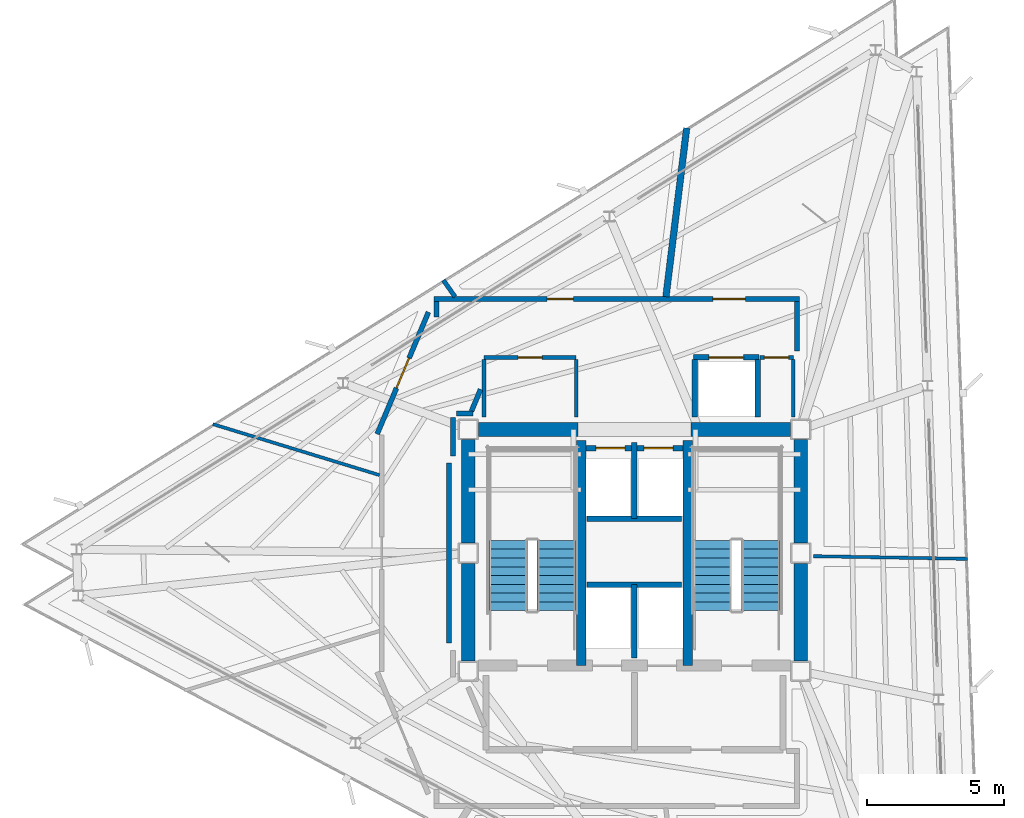
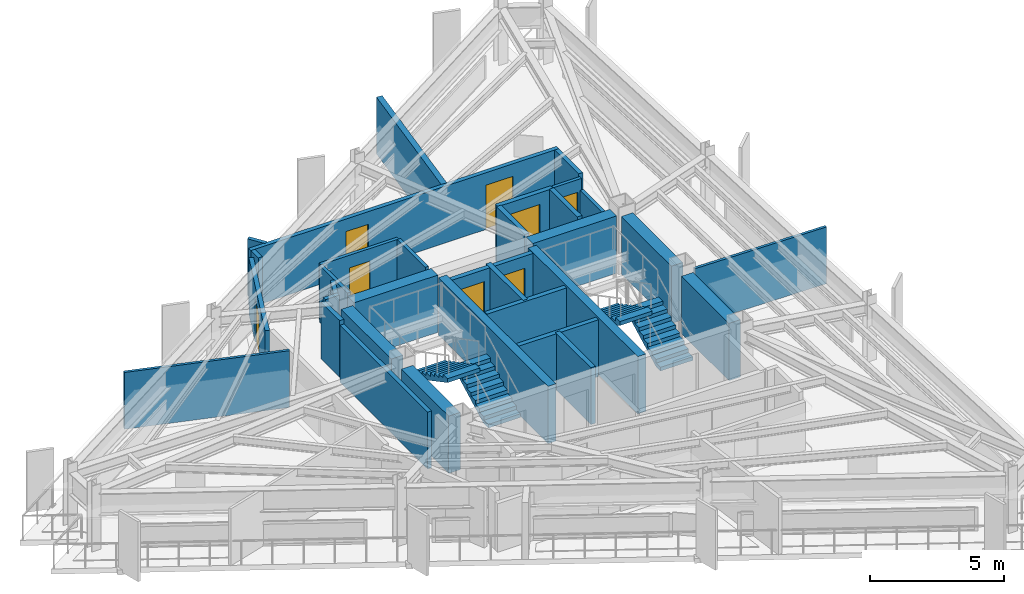
# One storey, part 9 of 13: 33 walls, 8 doors, 4 stair flights, 8 openings, 2 elements without a shape of their own.
"""IFC4 building model written with IfcOpenShell, lengths in metres."""

from ifc_helpers import new_model, si_unit, direction, frame, frame_2d, origin, place, context, subcontext, project, spatial, polyline, rectangle, outline, extrude, material, layer, layer_set, type_object, element, fill, aggregate, save


model = new_model("IFC4")

# Units and contexts
model_context = context("Model", 3, precision=1e-05, world=origin(), true_north=direction((0.0, 1.0)))
body_context = subcontext(model_context, "Body", "Model", "MODEL_VIEW")
ifc_project = project(units=[si_unit("LENGTHUNIT", "METRE"), si_unit("AREAUNIT", "SQUARE_METRE"), si_unit("VOLUMEUNIT", "CUBIC_METRE"), si_unit("PLANEANGLEUNIT", "RADIAN"), si_unit("MASSUNIT", "GRAM", prefix="KILO")], contexts=[model_context])

# Site, building, storey
site_placement = place(None, origin())
site = spatial("IfcSite", under=ifc_project, at=site_placement, CompositionType="ELEMENT")
building_placement = place(site_placement, origin())
building = spatial("IfcBuilding", under=site, at=building_placement, Name="Rocaltana Carrier Exchange", CompositionType="ELEMENT")
storey_placement = place(building_placement, frame((0.0, 0.0, 211.840087890625)))
storey = spatial("IfcBuildingStorey", under=building, at=storey_placement, Name="L67", CompositionType="ELEMENT", Elevation=211.840087890625)

# Walls
ifc_material_1 = material(Name="Double Acoustic Gypsum Partition", Category="gypsum")
ifc_layer_1 = layer(ifc_material_1, 0.159912109375)
ifc_layer_set_1 = layer_set([ifc_layer_1], Name="Double Acoustic Gypsum Partition")
wall_type_1 = type_object("IfcWallType", Name="Acoustic Studio Partition 160 EI60", PredefinedType="PARTITIONING", material=ifc_layer_set_1)
wall_1_placement = place(storey_placement, frame((-6.532958984375, 9.330078125, 0.0), z_axis=(0.0, 0.0, 1.0), x_axis=(-0.573639237496, 0.819108066866, 0.0)))
element("IfcWall", 1, at=wall_1_placement, inside=storey, type_object=wall_type_1, Name="L67 Suite Divider Wall D6", PredefinedType="PARTITIONING", context=body_context, shape_type="SweptSolid", body=[
    extrude(rectangle(XDim=0.740966796875, YDim=0.159912109375, at=frame_2d((0.37060546875, 0.0))), origin(), (0.0, 0.0, 1.0), 2.593017578125),
])
ifc_material_2 = material(Name="Concrete C50/60", Category="concrete")
ifc_layer_2 = layer(ifc_material_2, 0.35009765625)
ifc_layer_set_2 = layer_set([ifc_layer_2], Name="Concrete C50/60")
wall_type_2 = type_object("IfcWallType", Name="Core Internal Shear Wall 350", PredefinedType="SHEAR", material=ifc_layer_set_2)
for number, where, z_axis, x_axis, name in (
    (2, (-1.93994140625, -4.10009765625, 0.0), (0.0, 0.0, 1.0), (0.0, 1.0, 0.0), "L67 Core Shear Wall CW-STW"),
    (3, (1.93994140625, -4.10009765625, 0.0), (0.0, 0.0, 1.0), (0.0, 1.0, 0.0), "L67 Core Shear Wall CW-STE"),
):
    element("IfcWall", number, at=place(storey_placement, frame(where, z_axis=z_axis, x_axis=x_axis)), inside=storey, type_object=wall_type_2, Name=name, PredefinedType="SHEAR", context=body_context, shape_type="SweptSolid", body=[
        extrude(rectangle(XDim=8.2001953125, YDim=0.35009765625, at=frame_2d((4.10009765625, 0.0))), origin(), (0.0, 0.0, 1.0), 2.617919921875),
    ])
ifc_material_3 = material(Name="Concrete C50/60", Category="concrete")
ifc_layer_3 = layer(ifc_material_3, 0.5)
ifc_layer_set_3 = layer_set([ifc_layer_3], Name="Concrete C50/60")
wall_type_3 = type_object("IfcWallType", Name="Core Shear Wall 500", PredefinedType="SHEAR", material=ifc_layer_set_3)
wall_2_placement = place(storey_placement, frame((-6.050048828125, 0.375, 0.0), z_axis=(0.0, 0.0, 1.0), x_axis=(0.0, 1.0, 0.0)))
element("IfcWall", 4, at=wall_2_placement, inside=storey, type_object=wall_type_3, Name="L67 Core Shear Wall CW-WN", PredefinedType="SHEAR", context=body_context, shape_type="SweptSolid", body=[
    extrude(rectangle(XDim=3.75, YDim=0.5, at=frame_2d((1.875, 0.0))), origin(), (0.0, 0.0, 1.0), 2.617919921875),
])
wall_3_placement = place(storey_placement, frame((-6.050048828125, -3.925048828125, 0.0), z_axis=(0.0, 0.0, 1.0), x_axis=(0.0, 1.0, 0.0)))
element("IfcWall", 5, at=wall_3_placement, inside=storey, type_object=wall_type_3, Name="L67 Core Shear Wall CW-WS", PredefinedType="SHEAR", context=body_context, shape_type="SweptSolid", body=[
    extrude(rectangle(XDim=3.550048828125, YDim=0.5, at=frame_2d((1.77490234375, 0.0))), origin(), (0.0, 0.0, 1.0), 2.617919921875),
])
wall_4_placement = place(storey_placement, frame((6.050048828125, 0.375, 0.0), z_axis=(0.0, 0.0, 1.0), x_axis=(0.0, 1.0, 0.0)))
element("IfcWall", 6, at=wall_4_placement, inside=storey, type_object=wall_type_3, Name="L67 Core Shear Wall CW-EN", PredefinedType="SHEAR", context=body_context, shape_type="SweptSolid", body=[
    extrude(rectangle(XDim=3.75, YDim=0.5, at=frame_2d((1.875, 0.0))), origin(), (0.0, 0.0, 1.0), 2.617919921875),
])
wall_5_placement = place(storey_placement, frame((6.050048828125, -3.925048828125, 0.0), z_axis=(0.0, 0.0, 1.0), x_axis=(0.0, 1.0, 0.0)))
element("IfcWall", 7, at=wall_5_placement, inside=storey, type_object=wall_type_3, Name="L67 Core Shear Wall CW-ES", PredefinedType="SHEAR", context=body_context, shape_type="SweptSolid", body=[
    extrude(rectangle(XDim=3.550048828125, YDim=0.5, at=frame_2d((1.77490234375, 0.0))), origin(), (0.0, 0.0, 1.0), 2.617919921875),
])
for number, where, z_axis, x_axis, name in (
    (8, (-5.675048828125, 4.5, 0.0), (0.0, 0.0, 1.0), (1.0, 0.0, 0.0), "L67 Core Shear Wall CW-N1"),
    (9, (2.050048828125, 4.5, 0.0), (0.0, 0.0, 1.0), (1.0, 0.0, 0.0), "L67 Core Shear Wall CW-N2"),
):
    element("IfcWall", number, at=place(storey_placement, frame(where, z_axis=z_axis, x_axis=x_axis)), inside=storey, type_object=wall_type_3, Name=name, PredefinedType="SHEAR", context=body_context, shape_type="SweptSolid", body=[
        extrude(rectangle(XDim=3.625, YDim=0.5, at=frame_2d((1.8125, 0.0))), origin(), (0.0, 0.0, 1.0), 2.617919921875),
    ])

# Wall, opening, door
ifc_material_4 = material(Name="Gypsum & Steel Stud Partition", Category="steel")
ifc_layer_4 = layer(ifc_material_4, 0.179931640625)
ifc_layer_set_4 = layer_set([ifc_layer_4], Name="Gypsum & Steel Stud Partition")
wall_type_4 = type_object("IfcWallType", Name="Corridor Fire Partition 180 EI60", PredefinedType="PARTITIONING", material=ifc_layer_set_4)
wall_6_placement = place(storey_placement, frame((-9.36669921875, 4.331787109375, 0.0), z_axis=(0.0, 0.0, 1.0), x_axis=(0.387573945081, 0.921838617706, 0.0)))
wall_6 = element("IfcWall", 10, at=wall_6_placement, inside=storey, type_object=wall_type_4, Name="L67 Corridor Partition 3", PredefinedType="PARTITIONING", context=body_context, shape_type="SweptSolid", body=[
    extrude(rectangle(XDim=4.813232421875, YDim=0.179931640625, at=frame_2d((2.40673828125, 0.0))), origin(), (0.0, 0.0, 1.0), 2.593017578125),
])
opening_1_placement = place(wall_6_placement, frame((1.816650390625, 0.0, 0.0)))
opening_1 = element("IfcOpeningElement", 11, at=opening_1_placement, cuts=wall_6, Name="Opening D-SU120", PredefinedType="OPENING", context=body_context, shape_type="SweptSolid", body=[
    extrude(rectangle(XDim=1.179931640625, YDim=2.02001953125, at=frame_2d((0.58984375, 1.010009765625))), frame((0.0, 0.099853515625, 0.0), z_axis=(0.0, -1.0, 0.0), x_axis=(1.0, 0.0, 0.0)), (0.0, 0.0, 1.0), 0.199951171875),
])
ifc_material_5 = material(Name="Engineered Hardwood Timber", Category="wood")
door_type_1 = type_object("IfcDoorType", Name="Suite Double Entrance Door 1180x2020", OperationType="NOTDEFINED", PredefinedType="DOOR", material=ifc_material_5)
door_1_placement = place(opening_1_placement, origin())
door_1 = element("IfcDoor", 12, at=door_1_placement, inside=storey, type_object=door_type_1, Name="L67 Carrier Peering Suite Entrance Door", OperationType="SINGLE_SWING_RIGHT", OverallHeight=2.02001953125, OverallWidth=1.179931640625, PredefinedType="DOOR", context=body_context, shape_type="SweptSolid", body=[
    extrude(rectangle(XDim=1.179931640625, YDim=2.02001953125, at=frame_2d((0.58984375, 1.010009765625))), frame((0.0, 0.02490234375, 0.0), z_axis=(0.0, -1.0, 0.0), x_axis=(1.0, 0.0, 0.0)), (0.0, 0.0, 1.0), 0.050048828125),
])
fill(opening_1, door_1)

# Wall
wall_7_placement = place(storey_placement, frame((-7.199951171875, 8.6005859375, 0.0), z_axis=(0.0, 0.0, 1.0), x_axis=(0.0, 1.0, 0.0)))
element("IfcWall", 13, at=wall_7_placement, inside=storey, type_object=wall_type_4, Name="L67 Corridor Partition 4", PredefinedType="PARTITIONING", context=body_context, shape_type="SweptSolid", body=[
    extrude(rectangle(XDim=0.559326171875, YDim=0.179931640625, at=frame_2d((0.27978515625, 0.0))), origin(), (0.0, 0.0, 1.0), 2.593017578125),
])

# Wall, openings, doors
wall_8_placement = place(storey_placement, frame((-7.2900390625, 9.25, 0.0), z_axis=(0.0, 0.0, 1.0), x_axis=(1.0, 0.0, 0.0)))
wall_8 = element("IfcWall", 14, at=wall_8_placement, inside=storey, type_object=wall_type_4, Name="L67 Corridor Partition 5", PredefinedType="PARTITIONING", context=body_context, shape_type="SweptSolid", body=[
    extrude(rectangle(XDim=13.300048828125, YDim=0.179931640625, at=frame_2d((6.64990234375, 0.0))), origin(), (0.0, 0.0, 1.0), 2.593017578125),
])
opening_2_placement = place(wall_8_placement, frame((10.14794921875, 0.0, 0.0)))
opening_2 = element("IfcOpeningElement", 15, at=opening_2_placement, cuts=wall_8, Name="Opening D-SU120", PredefinedType="OPENING", context=body_context, shape_type="SweptSolid", body=[
    extrude(rectangle(XDim=1.179931640625, YDim=2.02001953125, at=frame_2d((0.58984375, 1.010009765625))), frame((0.0, 0.099853515625, 0.0), z_axis=(0.0, -1.0, 0.0), x_axis=(1.0, 0.0, 0.0)), (0.0, 0.0, 1.0), 0.199951171875),
])
opening_3_placement = place(wall_8_placement, frame((4.109619140625, 0.0, 0.0)))
opening_3 = element("IfcOpeningElement", 16, at=opening_3_placement, cuts=wall_8, Name="Opening D-RM098", PredefinedType="OPENING", context=body_context, shape_type="SweptSolid", body=[
    extrude(rectangle(XDim=0.9599609375, YDim=2.02001953125, at=frame_2d((0.47998046875, 1.010009765625))), frame((0.0, 0.099853515625, 0.0), z_axis=(0.0, -1.0, 0.0), x_axis=(1.0, 0.0, 0.0)), (0.0, 0.0, 1.0), 0.199951171875),
])
door_2_placement = place(opening_2_placement, origin())
door_2 = element("IfcDoor", 17, at=door_2_placement, inside=storey, type_object=door_type_1, Name="L67 Carrier Peering Suite Entrance Door", OperationType="SINGLE_SWING_RIGHT", OverallHeight=2.02001953125, OverallWidth=1.179931640625, PredefinedType="DOOR", context=body_context, shape_type="SweptSolid", body=[
    extrude(rectangle(XDim=1.179931640625, YDim=2.02001953125, at=frame_2d((0.58984375, 1.010009765625))), frame((0.0, 0.02490234375, 0.0), z_axis=(0.0, -1.0, 0.0), x_axis=(1.0, 0.0, 0.0)), (0.0, 0.0, 1.0), 0.050048828125),
])
fill(opening_2, door_2)
ifc_material_6 = material(Name="Engineered Hardwood Timber", Category="wood")
door_type_2 = type_object("IfcDoorType", Name="Workspace Single Door 960x2020", OperationType="NOTDEFINED", PredefinedType="DOOR", material=ifc_material_6)
door_3_placement = place(opening_3_placement, origin())
door_3 = element("IfcDoor", 18, at=door_3_placement, inside=storey, type_object=door_type_2, Name="L67 Peering Conference Room Entrance Door", OperationType="SINGLE_SWING_LEFT", OverallHeight=2.02001953125, OverallWidth=0.9599609375, PredefinedType="DOOR", context=body_context, shape_type="SweptSolid", body=[
    extrude(rectangle(XDim=0.9599609375, YDim=2.02001953125, at=frame_2d((0.47998046875, 1.010009765625))), frame((0.0, 0.02490234375, 0.0), z_axis=(0.0, -1.0, 0.0), x_axis=(1.0, 0.0, 0.0)), (0.0, 0.0, 1.0), 0.050048828125),
])
fill(opening_3, door_3)

# Walls
wall_9_placement = place(storey_placement, frame((5.919921875, 9.159912109375, 0.0), z_axis=(0.0, 0.0, 1.0), x_axis=(0.0, -1.0, 0.0)))
element("IfcWall", 19, at=wall_9_placement, inside=storey, type_object=wall_type_4, Name="L67 Corridor Partition 6", PredefinedType="PARTITIONING", context=body_context, shape_type="SweptSolid", body=[
    extrude(rectangle(XDim=1.7998046875, YDim=0.179931640625, at=frame_2d((0.89990234375, 0.0))), origin(), (0.0, 0.0, 1.0), 2.593017578125),
])
wall_10_placement = place(storey_placement, frame((-5.602294921875, 5.9580078125, 0.0), z_axis=(0.0, 0.0, 1.0), x_axis=(-0.387588639363, -0.921832439566, 0.0)))
element("IfcWall", 20, at=wall_10_placement, inside=storey, type_object=wall_type_4, Name="L67 Corridor Partition 8", PredefinedType="PARTITIONING", context=body_context, shape_type="SweptSolid", body=[
    extrude(rectangle(XDim=0.8623046875, YDim=0.179931640625, at=frame_2d((0.43115234375, 0.0))), origin(), (0.0, 0.0, 1.0), 2.593017578125),
])
wall_11_placement = place(storey_placement, frame((-5.88134765625, 5.080078125, 0.0), z_axis=(0.0, 0.0, 1.0), x_axis=(-1.0, 0.0, 0.0)))
element("IfcWall", 21, at=wall_11_placement, inside=storey, type_object=wall_type_4, Name="L67 Corridor Partition 9", PredefinedType="PARTITIONING", context=body_context, shape_type="SweptSolid", body=[
    extrude(rectangle(XDim=0.588623046875, YDim=0.179931640625, at=frame_2d((0.29443359375, 0.0))), origin(), (0.0, 0.0, 1.0), 2.593017578125),
])
wall_12_placement = place(storey_placement, frame((-6.610107421875, 4.93994140625, 0.0), z_axis=(0.0, 0.0, 1.0), x_axis=(0.0, -1.0, 0.0)))
element("IfcWall", 22, at=wall_12_placement, inside=storey, type_object=wall_type_4, Name="L67 Corridor Partition 10", PredefinedType="PARTITIONING", context=body_context, shape_type="SweptSolid", body=[
    extrude(rectangle(XDim=1.398681640625, YDim=0.179931640625, at=frame_2d((0.69921875, 0.0))), origin(), (0.0, 0.0, 1.0), 2.593017578125),
])
wall_13_placement = place(storey_placement, frame((-6.75, 3.2734375, 0.0), z_axis=(0.0, 0.0, 1.0), x_axis=(0.0, -1.0, 0.0)))
element("IfcWall", 23, at=wall_13_placement, inside=storey, type_object=wall_type_4, Name="L67 Corridor Partition 11", PredefinedType="PARTITIONING", context=body_context, shape_type="SweptSolid", body=[
    extrude(rectangle(XDim=6.546875, YDim=0.179931640625, at=frame_2d((3.2734375, 0.0))), origin(), (0.0, 0.0, 1.0), 2.593017578125),
])
ifc_material_7 = material(Name="Aluminium 6063-T6 & Acoustic Glass", Category="aluminium")
ifc_layer_5 = layer(ifc_material_7, 0.114990234375)
ifc_layer_set_5 = layer_set([ifc_layer_5], Name="Aluminium 6063-T6 & Acoustic Glass")
wall_type_5 = type_object("IfcWallType", Name="Demountable Glazed Lab Partition 115", PredefinedType="MOVABLE", material=ifc_layer_set_5)
wall_14_placement = place(storey_placement, frame((6.510009765625, -0.113525390625, 0.0), z_axis=(0.0, 0.0, 1.0), x_axis=(0.999847502382, -0.017463446992, 0.0)))
element("IfcWall", 24, at=wall_14_placement, inside=storey, type_object=wall_type_5, Name="L67 Suite Divider Wall D4", PredefinedType="MOVABLE", context=body_context, shape_type="SweptSolid", body=[
    extrude(rectangle(XDim=5.6201171875, YDim=0.114990234375, at=frame_2d((2.81005859375, 0.0))), origin(), (0.0, 0.0, 1.0), 2.593017578125),
])
wall_15_placement = place(storey_placement, frame((-9.280029296875, 2.837158203125, 0.0), z_axis=(0.0, 0.0, 1.0), x_axis=(-0.956301397149, 0.292382690682, 0.0)))
element("IfcWall", 25, at=wall_15_placement, inside=storey, type_object=wall_type_5, Name="L67 Suite Divider Wall D7", PredefinedType="MOVABLE", context=body_context, shape_type="SweptSolid", body=[
    extrude(rectangle(XDim=6.34765625, YDim=0.114990234375, at=frame_2d((3.173828125, 0.0))), origin(), (0.0, 0.0, 1.0), 2.593017578125),
])
ifc_material_8 = material(Name="Acoustic Calcium Silicate Partition", Category="gypsum")
ifc_layer_6 = layer(ifc_material_8, 0.239990234375)
ifc_layer_set_6 = layer_set([ifc_layer_6], Name="Acoustic Calcium Silicate Partition")
wall_type_6 = type_object("IfcWallType", Name="Heavy Lab Partition 240 EI90", PredefinedType="PARTITIONING", material=ifc_layer_set_6)
wall_16_placement = place(storey_placement, frame((1.1455078125, 9.330078125, 0.0), z_axis=(0.0, 0.0, 1.0), x_axis=(0.121873572304, 0.992545632389, 0.0)))
element("IfcWall", 26, at=wall_16_placement, inside=storey, type_object=wall_type_6, Name="L67 Suite Divider Wall D5", PredefinedType="PARTITIONING", context=body_context, shape_type="SweptSolid", body=[
    extrude(rectangle(XDim=6.18798828125, YDim=0.239990234375, at=frame_2d((3.093994140625, 0.0))), origin(), (0.0, 0.0, 1.0), 2.593017578125),
])
ifc_material_9 = material(Name="Reinforced Concrete Block C35/45", Category="concrete")
ifc_layer_7 = layer(ifc_material_9, 0.199951171875)
ifc_layer_set_7 = layer_set([ifc_layer_7], Name="Reinforced Concrete Block C35/45")
wall_type_7 = type_object("IfcWallType", Name="Lift Hoistway Enclosure Wall 200 EI120", PredefinedType="PARTITIONING", material=ifc_layer_set_7)
wall_17_placement = place(storey_placement, frame((0.0, -3.820068359375, 0.0), z_axis=(0.0, 0.0, 1.0), x_axis=(0.0, 1.0, 0.0)))
element("IfcWall", 27, at=wall_17_placement, inside=storey, type_object=wall_type_7, Name="L67 FFL Shaft Divider", PredefinedType="PARTITIONING", context=body_context, shape_type="SweptSolid", body=[
    extrude(rectangle(XDim=2.670166015625, YDim=0.199951171875, at=frame_2d((1.3349609375, 0.0))), origin(), (0.0, 0.0, 1.0), 2.593017578125),
])
wall_18_placement = place(storey_placement, frame((-1.719970703125, -1.14990234375, 0.0), z_axis=(0.0, 0.0, 1.0), x_axis=(1.0, 0.0, 0.0)))
element("IfcWall", 28, at=wall_18_placement, inside=storey, type_object=wall_type_7, Name="L67 FFL Shaft Back Wall", PredefinedType="PARTITIONING", context=body_context, shape_type="SweptSolid", body=[
    extrude(rectangle(XDim=3.43994140625, YDim=0.199951171875, at=frame_2d((1.719970703125, 0.0))), origin(), (0.0, 0.0, 1.0), 2.593017578125),
])
wall_19_placement = place(storey_placement, frame((0.0, 1.25, 0.0), z_axis=(0.0, 0.0, 1.0), x_axis=(0.0, 1.0, 0.0)))
element("IfcWall", 29, at=wall_19_placement, inside=storey, type_object=wall_type_7, Name="L67 High-Rise Shaft Divider", PredefinedType="PARTITIONING", context=body_context, shape_type="SweptSolid", body=[
    extrude(rectangle(XDim=2.77001953125, YDim=0.199951171875, at=frame_2d((1.385009765625, 0.0))), origin(), (0.0, 0.0, 1.0), 2.593017578125),
])
wall_20_placement = place(storey_placement, frame((-1.719970703125, 1.25, 0.0), z_axis=(0.0, 0.0, 1.0), x_axis=(1.0, 0.0, 0.0)))
element("IfcWall", 30, at=wall_20_placement, inside=storey, type_object=wall_type_7, Name="L67 High-Rise Shaft Back Wall", PredefinedType="PARTITIONING", context=body_context, shape_type="SweptSolid", body=[
    extrude(rectangle(XDim=3.43994140625, YDim=0.199951171875, at=frame_2d((1.719970703125, 0.0))), origin(), (0.0, 0.0, 1.0), 2.593017578125),
])

# Wall, openings, doors
wall_21_placement = place(storey_placement, frame((-1.760009765625, 3.820068359375, 0.0), z_axis=(0.0, 0.0, 1.0), x_axis=(1.0, 0.0, 0.0)))
wall_21 = element("IfcWall", 31, at=wall_21_placement, inside=storey, type_object=wall_type_7, Name="L67 High-Rise Lift Front Wall", PredefinedType="PARTITIONING", context=body_context, shape_type="SweptSolid", body=[
    extrude(rectangle(XDim=3.52001953125, YDim=0.199951171875, at=frame_2d((1.760009765625, 0.0))), origin(), (0.0, 0.0, 1.0), 2.593017578125),
])
opening_4_placement = place(wall_21_placement, frame((0.35009765625, 0.0, 0.0)))
opening_4 = element("IfcOpeningElement", 32, at=opening_4_placement, cuts=wall_21, Name="Opening LD-110", PredefinedType="OPENING", context=body_context, shape_type="SweptSolid", body=[
    extrude(rectangle(XDim=1.06005859375, YDim=2.0400390625, at=frame_2d((0.530029296875, 1.02001953125))), frame((0.0, 0.10986328125, 0.0), z_axis=(0.0, -1.0, 0.0), x_axis=(1.0, 0.0, 0.0)), (0.0, 0.0, 1.0), 0.219970703125),
])
opening_5_placement = place(wall_21_placement, frame((2.110107421875, 0.0, 0.0)))
opening_5 = element("IfcOpeningElement", 33, at=opening_5_placement, cuts=wall_21, Name="Opening LD-110", PredefinedType="OPENING", context=body_context, shape_type="SweptSolid", body=[
    extrude(rectangle(XDim=1.06005859375, YDim=2.0400390625, at=frame_2d((0.530029296875, 1.02001953125))), frame((0.0, 0.10986328125, 0.0), z_axis=(0.0, -1.0, 0.0), x_axis=(1.0, 0.0, 0.0)), (0.0, 0.0, 1.0), 0.219970703125),
])
ifc_material_10 = material(Name="Brushed Stainless Sliding Door Leaf", Category="steel")
door_type_3 = type_object("IfcDoorType", Name="Lift Landing Sliding Door 1060x2040", OperationType="NOTDEFINED", PredefinedType="DOOR", material=ifc_material_10)
door_4_placement = place(opening_4_placement, origin())
door_4 = element("IfcDoor", 34, at=door_4_placement, inside=storey, type_object=door_type_3, Name="L67 High-Rise Lift PLH1 Landing Door", OperationType="SLIDING_TO_LEFT", OverallHeight=2.0400390625, OverallWidth=1.06005859375, PredefinedType="DOOR", context=body_context, shape_type="SweptSolid", body=[
    extrude(rectangle(XDim=1.06005859375, YDim=2.0400390625, at=frame_2d((0.530029296875, 1.02001953125))), frame((0.0, 0.02490234375, 0.0), z_axis=(0.0, -1.0, 0.0), x_axis=(1.0, 0.0, 0.0)), (0.0, 0.0, 1.0), 0.050048828125),
])
fill(opening_4, door_4)
door_5_placement = place(opening_5_placement, origin())
door_5 = element("IfcDoor", 35, at=door_5_placement, inside=storey, type_object=door_type_3, Name="L67 High-Rise Lift PLH2 Landing Door", OperationType="SLIDING_TO_RIGHT", OverallHeight=2.0400390625, OverallWidth=1.06005859375, PredefinedType="DOOR", context=body_context, shape_type="SweptSolid", body=[
    extrude(rectangle(XDim=1.06005859375, YDim=2.0400390625, at=frame_2d((0.530029296875, 1.02001953125))), frame((0.0, 0.02490234375, 0.0), z_axis=(0.0, -1.0, 0.0), x_axis=(1.0, 0.0, 0.0)), (0.0, 0.0, 1.0), 0.050048828125),
])
fill(opening_5, door_5)

# Walls
for number, where, z_axis, x_axis, name in (
    (36, (2.199951171875, 4.949951171875, 0.0), (0.0, 0.0, 1.0), (0.0, 1.0, 0.0), "L67 Goods Lift West Wall"),
    (37, (4.47998046875, 4.949951171875, 0.0), (0.0, 0.0, 1.0), (0.0, 1.0, 0.0), "L67 Goods Lift East Wall"),
):
    element("IfcWall", number, at=place(storey_placement, frame(where, z_axis=z_axis, x_axis=x_axis)), inside=storey, type_object=wall_type_7, Name=name, PredefinedType="PARTITIONING", context=body_context, shape_type="SweptSolid", body=[
        extrude(rectangle(XDim=2.10009765625, YDim=0.199951171875, at=frame_2d((1.050048828125, 0.0))), origin(), (0.0, 0.0, 1.0), 2.593017578125),
    ])

# Wall, opening, door
wall_22_placement = place(storey_placement, frame((2.14990234375, 7.1201171875, 0.0), z_axis=(0.0, 0.0, 1.0), x_axis=(1.0, 0.0, 0.0)))
wall_22 = element("IfcWall", 38, at=wall_22_placement, inside=storey, type_object=wall_type_7, Name="L67 Goods Lift Front Wall", PredefinedType="PARTITIONING", context=body_context, shape_type="SweptSolid", body=[
    extrude(rectangle(XDim=2.380126953125, YDim=0.199951171875, at=frame_2d((1.18994140625, 0.0))), origin(), (0.0, 0.0, 1.0), 2.593017578125),
])
opening_6_placement = place(wall_22_placement, frame((0.56005859375, 0.0, 0.0)))
opening_6 = element("IfcOpeningElement", 39, at=opening_6_placement, cuts=wall_22, Name="Opening LD-130", PredefinedType="OPENING", context=body_context, shape_type="SweptSolid", body=[
    extrude(rectangle(XDim=1.260009765625, YDim=2.06005859375, at=frame_2d((0.6298828125, 1.030029296875))), frame((0.0, 0.10986328125, 0.0), z_axis=(0.0, -1.0, 0.0), x_axis=(1.0, 0.0, 0.0)), (0.0, 0.0, 1.0), 0.219970703125),
])
ifc_material_11 = material(Name="Brushed Stainless Sliding Door Leaf", Category="steel")
door_type_4 = type_object("IfcDoorType", Name="Goods Lift Landing Sliding Door 1260x2060", OperationType="NOTDEFINED", PredefinedType="DOOR", material=ifc_material_11)
door_6_placement = place(opening_6_placement, origin())
door_6 = element("IfcDoor", 40, at=door_6_placement, inside=storey, type_object=door_type_4, Name="L67 Goods Lift GL-1 Landing Door", OperationType="SLIDING_TO_LEFT", OverallHeight=2.06005859375, OverallWidth=1.260009765625, PredefinedType="DOOR", context=body_context, shape_type="SweptSolid", body=[
    extrude(rectangle(XDim=1.260009765625, YDim=2.06005859375, at=frame_2d((0.6298828125, 1.030029296875))), frame((0.0, 0.02490234375, 0.0), z_axis=(0.0, -1.0, 0.0), x_axis=(1.0, 0.0, 0.0)), (0.0, 0.0, 1.0), 0.050048828125),
])
fill(opening_6, door_6)

# Walls
ifc_material_12 = material(Name="Moisture-Resistant Masonry C30/37", Category="masonry")
ifc_layer_8 = layer(ifc_material_12, 0.139892578125)
ifc_layer_set_8 = layer_set([ifc_layer_8], Name="Moisture-Resistant Masonry C30/37")
wall_type_8 = type_object("IfcWallType", Name="Wet-Area Sanitary Partition 140", PredefinedType="PARTITIONING", material=ifc_layer_set_8)
for number, where, z_axis, x_axis, name in (
    (41, (-5.47998046875, 4.949951171875, 0.0), (0.0, 0.0, 1.0), (0.0, 1.0, 0.0), "L67 Sanitary West Wall"),
    (42, (-2.1201171875, 4.949951171875, 0.0), (0.0, 0.0, 1.0), (0.0, 1.0, 0.0), "L67 Sanitary East Wall"),
):
    element("IfcWall", number, at=place(storey_placement, frame(where, z_axis=z_axis, x_axis=x_axis)), inside=storey, type_object=wall_type_8, Name=name, PredefinedType="PARTITIONING", context=body_context, shape_type="SweptSolid", body=[
        extrude(rectangle(XDim=2.10009765625, YDim=0.139892578125, at=frame_2d((1.050048828125, 0.0))), origin(), (0.0, 0.0, 1.0), 2.593017578125),
    ])

# Wall, opening, door
wall_23_placement = place(storey_placement, frame((-5.47998046875, 7.1201171875, 0.0), z_axis=(0.0, 0.0, 1.0), x_axis=(1.0, 0.0, 0.0)))
wall_23 = element("IfcWall", 43, at=wall_23_placement, inside=storey, type_object=wall_type_8, Name="L67 Sanitary North Wall", PredefinedType="PARTITIONING", context=body_context, shape_type="SweptSolid", body=[
    extrude(rectangle(XDim=3.35986328125, YDim=0.139892578125, at=frame_2d((1.679931640625, 0.0))), origin(), (0.0, 0.0, 1.0), 2.593017578125),
])
opening_7_placement = place(wall_23_placement, frame((1.239990234375, 0.0, 0.0)))
opening_7 = element("IfcOpeningElement", 44, at=opening_7_placement, cuts=wall_23, Name="Opening D-WC090", PredefinedType="OPENING", context=body_context, shape_type="SweptSolid", body=[
    extrude(rectangle(XDim=0.8798828125, YDim=2.02001953125, at=frame_2d((0.43994140625, 1.010009765625))), frame((0.0, 0.079833984375, 0.0), z_axis=(0.0, -1.0, 0.0), x_axis=(1.0, 0.0, 0.0)), (0.0, 0.0, 1.0), 0.159912109375),
])
ifc_material_13 = material(Name="High-Pressure Laminate Timber", Category="wood")
door_type_5 = type_object("IfcDoorType", Name="Restroom & Accessible WC Door 880x2020", OperationType="NOTDEFINED", PredefinedType="DOOR", material=ifc_material_13)
door_7_placement = place(opening_7_placement, origin())
door_7 = element("IfcDoor", 45, at=door_7_placement, inside=storey, type_object=door_type_5, Name="L67 Accessible Toilet Door", OperationType="SINGLE_SWING_RIGHT", OverallHeight=2.02001953125, OverallWidth=0.8798828125, PredefinedType="DOOR", context=body_context, shape_type="SweptSolid", body=[
    extrude(rectangle(XDim=0.8798828125, YDim=2.02001953125, at=frame_2d((0.43994140625, 1.010009765625))), frame((0.0, 0.02490234375, 0.0), z_axis=(0.0, -1.0, 0.0), x_axis=(1.0, 0.0, 0.0)), (0.0, 0.0, 1.0), 0.050048828125),
])
fill(opening_7, door_7)

# Wall
wall_24_placement = place(storey_placement, frame((5.780029296875, 4.949951171875, 0.0), z_axis=(0.0, 0.0, 1.0), x_axis=(0.0, 1.0, 0.0)))
element("IfcWall", 46, at=wall_24_placement, inside=storey, type_object=wall_type_8, Name="L67 Restroom East Wall", PredefinedType="PARTITIONING", context=body_context, shape_type="SweptSolid", body=[
    extrude(rectangle(XDim=2.10009765625, YDim=0.139892578125, at=frame_2d((1.050048828125, 0.0))), origin(), (0.0, 0.0, 1.0), 2.072998046875),
])

# Wall, opening, door
wall_25_placement = place(storey_placement, frame((4.56005859375, 7.1201171875, 0.0), z_axis=(0.0, 0.0, 1.0), x_axis=(1.0, 0.0, 0.0)))
wall_25 = element("IfcWall", 47, at=wall_25_placement, inside=storey, type_object=wall_type_8, Name="L67 Restroom North Wall", PredefinedType="PARTITIONING", context=body_context, shape_type="SweptSolid", body=[
    extrude(rectangle(XDim=1.219970703125, YDim=0.139892578125, at=frame_2d((0.60986328125, 0.0))), origin(), (0.0, 0.0, 1.0), 2.593017578125),
])
opening_8_placement = place(wall_25_placement, frame((0.169921875, 0.0, 0.0)))
opening_8 = element("IfcOpeningElement", 48, at=opening_8_placement, cuts=wall_25, Name="Opening D-WC090", PredefinedType="OPENING", context=body_context, shape_type="SweptSolid", body=[
    extrude(rectangle(XDim=0.8798828125, YDim=2.02001953125, at=frame_2d((0.43994140625, 1.010009765625))), frame((0.0, 0.079833984375, 0.0), z_axis=(0.0, -1.0, 0.0), x_axis=(1.0, 0.0, 0.0)), (0.0, 0.0, 1.0), 0.159912109375),
])
door_8_placement = place(opening_8_placement, origin())
door_8 = element("IfcDoor", 49, at=door_8_placement, inside=storey, type_object=door_type_5, Name="L67 Staff Restroom Door", OperationType="SINGLE_SWING_LEFT", OverallHeight=2.02001953125, OverallWidth=0.8798828125, PredefinedType="DOOR", context=body_context, shape_type="SweptSolid", body=[
    extrude(rectangle(XDim=0.8798828125, YDim=2.02001953125, at=frame_2d((0.43994140625, 1.010009765625))), frame((0.0, 0.02490234375, 0.0), z_axis=(0.0, -1.0, 0.0), x_axis=(1.0, 0.0, 0.0)), (0.0, 0.0, 1.0), 0.050048828125),
])
fill(opening_8, door_8)

# Stair, stair flights
ifc_material_14 = material(Name="Precast concrete C45/55", Category="concrete")
stair_type = type_object("IfcStairType", Name="Standard Dog-Leg Stair 160", PredefinedType="HALF_TURN_STAIR", material=ifc_material_14)
stair_1_placement = place(storey_placement, origin())
stair_1 = element("IfcStair", 50, at=stair_1_placement, inside=storey, type_object=stair_type, Name="L67 Core West Exit Stair ST-1", PredefinedType="HALF_TURN_STAIR")
ifc_material_15 = material(Name="Precast concrete C45/55", Category="concrete")
stair_flight_type = type_object("IfcStairFlightType", Name="Precast Stair Flight 160", PredefinedType="STRAIGHT", material=ifc_material_15)
stair_flight_1_placement = place(storey_placement, frame((-2.840087890625, -2.10009765625, 0.0), z_axis=(0.0, 0.0, 1.0), x_axis=(0.0, 1.0, 0.0)))
stair_flight_1 = element("IfcStairFlight", 51, at=stair_flight_1_placement, type_object=stair_flight_type, Name="ST-1 flight 1", NumberOfRisers=9, NumberOfTreads=8, PredefinedType="STRAIGHT", RiserHeight=0.168888889, TreadLength=0.32, context=body_context, shape_type="SweptSolid", body=[
    extrude(outline(polyline([(0.0, 0.0), (0.0, 0.1689453125), (0.320068359375, 0.1689453125), (0.320068359375, 0.337890625), (0.639892578125, 0.337890625), (0.639892578125, 0.506591796875), (0.9599609375, 0.506591796875), (0.9599609375, 0.675537109375), (1.280029296875, 0.675537109375), (1.280029296875, 0.844482421875), (1.60009765625, 0.844482421875), (1.60009765625, 1.013427734375), (1.919921875, 1.013427734375), (1.919921875, 1.18212890625), (2.239990234375, 1.18212890625), (2.239990234375, 1.35107421875), (2.56005859375, 1.35107421875), (2.56005859375, 1.52001953125), (2.56005859375, 1.17041015625), (0.342529296875, 0.0), (0.0, 0.0)])), frame((0.0, 0.699951171875, 0.0), z_axis=(0.0, -1.0, 0.0), x_axis=(1.0, 0.0, 0.0)), (0.0, 0.0, 1.0), 1.39990234375),
])
stair_flight_2_placement = place(storey_placement, frame((-4.60009765625, 0.4599609375, 1.52001953125), z_axis=(0.0, 0.0, 1.0), x_axis=(0.0, -1.0, 0.0)))
stair_flight_2 = element("IfcStairFlight", 52, at=stair_flight_2_placement, type_object=stair_flight_type, Name="ST-1 flight 2", NumberOfRisers=9, NumberOfTreads=8, PredefinedType="STRAIGHT", RiserHeight=0.168888889, TreadLength=0.32, context=body_context, shape_type="SweptSolid", body=[
    extrude(outline(polyline([(0.0, 0.0), (0.0, 0.1689453125), (0.320068359375, 0.1689453125), (0.320068359375, 0.337890625), (0.639892578125, 0.337890625), (0.639892578125, 0.506591796875), (0.9599609375, 0.506591796875), (0.9599609375, 0.675537109375), (1.280029296875, 0.675537109375), (1.280029296875, 0.844482421875), (1.60009765625, 0.844482421875), (1.60009765625, 1.013427734375), (1.919921875, 1.013427734375), (1.919921875, 1.18212890625), (2.239990234375, 1.18212890625), (2.239990234375, 1.35107421875), (2.56005859375, 1.35107421875), (2.56005859375, 1.52001953125), (2.56005859375, 1.17041015625), (0.342529296875, 0.0), (0.0, 0.0)])), frame((0.0, 0.699951171875, 0.0), z_axis=(0.0, -1.0, 0.0), x_axis=(1.0, 0.0, 0.0)), (0.0, 0.0, 1.0), 1.39990234375),
])
aggregate(stair_1, [stair_flight_1, stair_flight_2])

stair_2_placement = place(storey_placement, origin())
stair_2 = element("IfcStair", 53, at=stair_2_placement, inside=storey, type_object=stair_type, Name="L67 Core East Exit Stair ST-2", PredefinedType="HALF_TURN_STAIR")
stair_flight_3_placement = place(storey_placement, frame((4.60009765625, -2.10009765625, 0.0), z_axis=(0.0, 0.0, 1.0), x_axis=(0.0, 1.0, 0.0)))
stair_flight_3 = element("IfcStairFlight", 54, at=stair_flight_3_placement, type_object=stair_flight_type, Name="ST-2 flight 1", NumberOfRisers=9, NumberOfTreads=8, PredefinedType="STRAIGHT", RiserHeight=0.168888889, TreadLength=0.32, context=body_context, shape_type="SweptSolid", body=[
    extrude(outline(polyline([(0.0, 0.0), (0.0, 0.1689453125), (0.320068359375, 0.1689453125), (0.320068359375, 0.337890625), (0.639892578125, 0.337890625), (0.639892578125, 0.506591796875), (0.9599609375, 0.506591796875), (0.9599609375, 0.675537109375), (1.280029296875, 0.675537109375), (1.280029296875, 0.844482421875), (1.60009765625, 0.844482421875), (1.60009765625, 1.013427734375), (1.919921875, 1.013427734375), (1.919921875, 1.18212890625), (2.239990234375, 1.18212890625), (2.239990234375, 1.35107421875), (2.56005859375, 1.35107421875), (2.56005859375, 1.52001953125), (2.56005859375, 1.17041015625), (0.342529296875, 0.0), (0.0, 0.0)])), frame((0.0, 0.699951171875, 0.0), z_axis=(0.0, -1.0, 0.0), x_axis=(1.0, 0.0, 0.0)), (0.0, 0.0, 1.0), 1.39990234375),
])
stair_flight_4_placement = place(storey_placement, frame((2.840087890625, 0.4599609375, 1.52001953125), z_axis=(0.0, 0.0, 1.0), x_axis=(0.0, -1.0, 0.0)))
stair_flight_4 = element("IfcStairFlight", 55, at=stair_flight_4_placement, type_object=stair_flight_type, Name="ST-2 flight 2", NumberOfRisers=9, NumberOfTreads=8, PredefinedType="STRAIGHT", RiserHeight=0.168888889, TreadLength=0.32, context=body_context, shape_type="SweptSolid", body=[
    extrude(outline(polyline([(0.0, 0.0), (0.0, 0.1689453125), (0.320068359375, 0.1689453125), (0.320068359375, 0.337890625), (0.639892578125, 0.337890625), (0.639892578125, 0.506591796875), (0.9599609375, 0.506591796875), (0.9599609375, 0.675537109375), (1.280029296875, 0.675537109375), (1.280029296875, 0.844482421875), (1.60009765625, 0.844482421875), (1.60009765625, 1.013427734375), (1.919921875, 1.013427734375), (1.919921875, 1.18212890625), (2.239990234375, 1.18212890625), (2.239990234375, 1.35107421875), (2.56005859375, 1.35107421875), (2.56005859375, 1.52001953125), (2.56005859375, 1.17041015625), (0.342529296875, 0.0), (0.0, 0.0)])), frame((0.0, 0.699951171875, 0.0), z_axis=(0.0, -1.0, 0.0), x_axis=(1.0, 0.0, 0.0)), (0.0, 0.0, 1.0), 1.39990234375),
])
aggregate(stair_2, [stair_flight_3, stair_flight_4])

save(model, "model.ifc")
